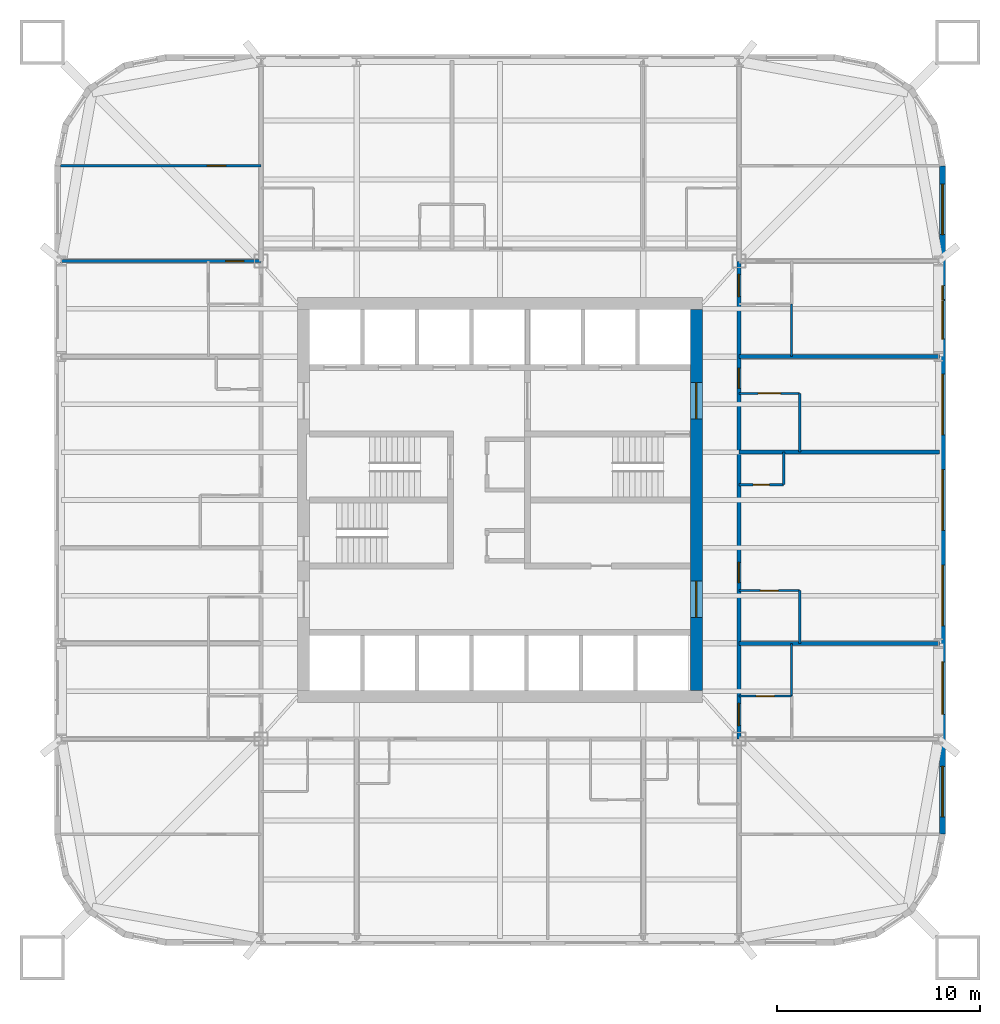
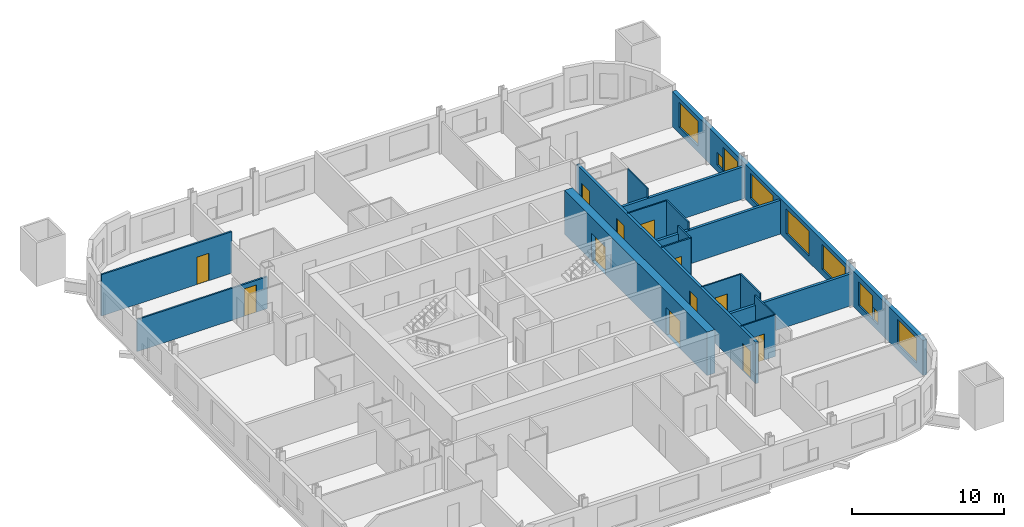
# One storey, part 6 of 10: 17 walls, 12 doors, 9 windows, 21 openings.
"""IFC4 building model written with IfcOpenShell, lengths in metres."""

from ifc_helpers import new_model, si_unit, direction, frame, frame_2d, origin, place, context, subcontext, project, spatial, rectangle, extrude, material, layer, layer_set, type_object, element, fill, save


model = new_model("IFC4")

# Units and contexts
model_context = context("Model", 3, precision=1e-05, world=origin(), true_north=direction((0.0, 1.0)))
body_context = subcontext(model_context, "Body", "Model", "MODEL_VIEW")
ifc_project = project(units=[si_unit("LENGTHUNIT", "METRE"), si_unit("AREAUNIT", "SQUARE_METRE"), si_unit("VOLUMEUNIT", "CUBIC_METRE"), si_unit("PLANEANGLEUNIT", "RADIAN"), si_unit("MASSUNIT", "GRAM", prefix="KILO")], contexts=[model_context])

# Site, building, storey
site_placement = place(None, origin())
site = spatial("IfcSite", under=ifc_project, at=site_placement, CompositionType="ELEMENT")
building_placement = place(site_placement, origin())
building = spatial("IfcBuilding", under=site, at=building_placement, Name="Turquesa Mirador Hotel Tower", CompositionType="ELEMENT")
storey_placement = place(building_placement, frame((0.0, 0.0, 39.0)))
storey = spatial("IfcBuildingStorey", under=building, at=storey_placement, Name="L09", CompositionType="ELEMENT", Elevation=39.0)

# Wall, opening, door
ifc_material_1 = material(Name="Gypsum board on steel studs", Category="steel")
ifc_layer_1 = layer(ifc_material_1, 0.10009765625)
ifc_layer_set_1 = layer_set([ifc_layer_1], Name="BATHROOM WALL 100")
wall_type_1 = type_object("IfcWallType", Name="BATHROOM WALL 100", PredefinedType="PARTITIONING", material=ifc_layer_set_1)
wall_1_placement = place(storey_placement, frame((66.800048828125, 40.52001953125, 0.0), z_axis=(0.0, 0.0, 1.0), x_axis=(1.0, 0.0, 0.0)))
wall_1 = element("IfcWall", 1, at=wall_1_placement, inside=storey, type_object=wall_type_1, Name="Partition L09 012", PredefinedType="PARTITIONING", context=body_context, shape_type="SweptSolid", body=[
    extrude(rectangle(XDim=3.0, YDim=0.10009765625, at=frame_2d((1.5, 0.0))), origin(), (0.0, 0.0, 1.0), 3.330078125),
])
opening_1_placement = place(wall_1_placement, frame((1.050048828125, 0.0, 0.0)))
opening_1 = element("IfcOpeningElement", 2, at=opening_1_placement, cuts=wall_1, Name="Opening D02", PredefinedType="OPENING", context=body_context, shape_type="SweptSolid", body=[
    extrude(rectangle(XDim=0.89990234375, YDim=2.10009765625, at=frame_2d((0.449951171875, 1.050048828125))), frame((0.0, 0.06005859375, 0.0), z_axis=(0.0, -1.0, 0.0), x_axis=(1.0, 0.0, 0.0)), (0.0, 0.0, 1.0), 0.1201171875),
])
ifc_material_2 = material(Name="Timber veneered door", Category="wood")
door_type_1 = type_object("IfcDoorType", Name="DOOR 900X2100 EN-SUITE", OperationType="SINGLE_SWING_RIGHT", PredefinedType="DOOR", material=ifc_material_2)
door_1_placement = place(opening_1_placement, origin())
door_1 = element("IfcDoor", 3, at=door_1_placement, inside=storey, type_object=door_type_1, Name="Door 0906B", OperationType="SINGLE_SWING_RIGHT", OverallHeight=2.10009765625, OverallWidth=0.89990234375, PredefinedType="DOOR", context=body_context, shape_type="SweptSolid", body=[
    extrude(rectangle(XDim=0.89990234375, YDim=2.10009765625, at=frame_2d((0.449951171875, 1.050048828125))), frame((0.0, 0.02490234375, 0.0), z_axis=(0.0, -1.0, 0.0), x_axis=(1.0, 0.0, 0.0)), (0.0, 0.0, 1.0), 0.050048828125),
])
fill(opening_1, door_1)

wall_2_placement = place(storey_placement, frame((66.800048828125, 35.320068359375, 0.0), z_axis=(0.0, 0.0, 1.0), x_axis=(1.0, 0.0, 0.0)))
wall_2 = element("IfcWall", 4, at=wall_2_placement, inside=storey, type_object=wall_type_1, Name="Partition L09 017", PredefinedType="PARTITIONING", context=body_context, shape_type="SweptSolid", body=[
    extrude(rectangle(XDim=2.599853515625, YDim=0.10009765625, at=frame_2d((1.2998046875, 0.0))), origin(), (0.0, 0.0, 1.0), 3.330078125),
])
opening_2_placement = place(wall_2_placement, frame((0.85009765625, 0.0, 0.0)))
opening_2 = element("IfcOpeningElement", 5, at=opening_2_placement, cuts=wall_2, Name="Opening D02", PredefinedType="OPENING", context=body_context, shape_type="SweptSolid", body=[
    extrude(rectangle(XDim=0.89990234375, YDim=2.10009765625, at=frame_2d((0.449951171875, 1.050048828125))), frame((0.0, 0.06005859375, 0.0), z_axis=(0.0, -1.0, 0.0), x_axis=(1.0, 0.0, 0.0)), (0.0, 0.0, 1.0), 0.1201171875),
])
door_2_placement = place(opening_2_placement, origin())
door_2 = element("IfcDoor", 6, at=door_2_placement, inside=storey, type_object=door_type_1, Name="Door 0913B", OperationType="SINGLE_SWING_RIGHT", OverallHeight=2.10009765625, OverallWidth=0.89990234375, PredefinedType="DOOR", context=body_context, shape_type="SweptSolid", body=[
    extrude(rectangle(XDim=0.89990234375, YDim=2.10009765625, at=frame_2d((0.449951171875, 1.050048828125))), frame((0.0, 0.02490234375, 0.0), z_axis=(0.0, -1.0, 0.0), x_axis=(1.0, 0.0, 0.0)), (0.0, 0.0, 1.0), 0.050048828125),
])
fill(opening_2, door_2)

wall_3_placement = place(storey_placement, frame((66.800048828125, 50.260009765625, 0.0), z_axis=(0.0, 0.0, 1.0), x_axis=(1.0, 0.0, 0.0)))
wall_3 = element("IfcWall", 7, at=wall_3_placement, inside=storey, type_object=wall_type_1, Name="Partition L09 030", PredefinedType="PARTITIONING", context=body_context, shape_type="SweptSolid", body=[
    extrude(rectangle(XDim=3.0, YDim=0.10009765625, at=frame_2d((1.5, 0.0))), origin(), (0.0, 0.0, 1.0), 3.330078125),
])
opening_3_placement = place(wall_3_placement, frame((0.949951171875, 0.0, 0.0)))
opening_3 = element("IfcOpeningElement", 8, at=opening_3_placement, cuts=wall_3, Name="Opening D16", PredefinedType="OPENING", context=body_context, shape_type="SweptSolid", body=[
    extrude(rectangle(XDim=1.10009765625, YDim=2.10009765625, at=frame_2d((0.550048828125, 1.050048828125))), frame((0.0, 0.06005859375, 0.0), z_axis=(0.0, -1.0, 0.0), x_axis=(1.0, 0.0, 0.0)), (0.0, 0.0, 1.0), 0.1201171875),
])
ifc_material_3 = material(Name="Timber veneered sliding door", Category="wood")
door_type_2 = type_object("IfcDoorType", Name="DOOR 1100X2100 ACCESSIBLE EN-SUITE", OperationType="SLIDING_TO_LEFT", PredefinedType="DOOR", material=ifc_material_3)
door_3_placement = place(opening_3_placement, origin())
door_3 = element("IfcDoor", 9, at=door_3_placement, inside=storey, type_object=door_type_2, Name="Door 0907B", OperationType="SLIDING_TO_LEFT", OverallHeight=2.10009765625, OverallWidth=1.10009765625, PredefinedType="DOOR", context=body_context, shape_type="SweptSolid", body=[
    extrude(rectangle(XDim=1.10009765625, YDim=2.10009765625, at=frame_2d((0.550048828125, 1.050048828125))), frame((0.0, 0.02490234375, 0.0), z_axis=(0.0, -1.0, 0.0), x_axis=(1.0, 0.0, 0.0)), (0.0, 0.0, 1.0), 0.050048828125),
])
fill(opening_3, door_3)

# Walls
for number, where, z_axis, x_axis, name in (
    (10, (69.39990234375, 35.320068359375, 0.0), (0.0, 0.0, 1.0), (0.0, 1.0, 0.0), "Partition L09 056"),
    (11, (69.39990234375, 52.080078125, 0.0), (0.0, 0.0, 1.0), (0.0, 1.0, 0.0), "Partition L09 057"),
):
    element("IfcWall", number, at=place(storey_placement, frame(where, z_axis=z_axis, x_axis=x_axis)), inside=storey, type_object=wall_type_1, Name=name, PredefinedType="PARTITIONING", context=body_context, shape_type="SweptSolid", body=[
        extrude(rectangle(XDim=2.599853515625, YDim=0.10009765625, at=frame_2d((1.2998046875, 0.0))), origin(), (0.0, 0.0, 1.0), 3.330078125),
    ])
wall_4_placement = place(storey_placement, frame((69.800048828125, 37.919921875, 0.0), z_axis=(0.0, 0.0, 1.0), x_axis=(0.0, 1.0, 0.0)))
element("IfcWall", 12, at=wall_4_placement, inside=storey, type_object=wall_type_1, Name="Partition L09 060", PredefinedType="PARTITIONING", context=body_context, shape_type="SweptSolid", body=[
    extrude(rectangle(XDim=2.60009765625, YDim=0.10009765625, at=frame_2d((1.300048828125, 0.0))), origin(), (0.0, 0.0, 1.0), 3.330078125),
])
wall_5_placement = place(storey_placement, frame((69.800048828125, 47.360107421875, 0.0), z_axis=(0.0, 0.0, 1.0), x_axis=(0.0, 1.0, 0.0)))
element("IfcWall", 13, at=wall_5_placement, inside=storey, type_object=wall_type_1, Name="Partition L09 061", PredefinedType="PARTITIONING", context=body_context, shape_type="SweptSolid", body=[
    extrude(rectangle(XDim=2.89990234375, YDim=0.10009765625, at=frame_2d((1.449951171875, 0.0))), origin(), (0.0, 0.0, 1.0), 3.330078125),
])

# Wall, openings, doors
ifc_material_4 = material(Name="Concrete C50/60", Category="concrete")
ifc_layer_2 = layer(ifc_material_4, 0.60009765625)
ifc_layer_set_2 = layer_set([ifc_layer_2], Name="CORE WALL 600")
wall_type_2 = type_object("IfcWallType", Name="CORE WALL 600", PredefinedType="SHEAR", material=ifc_layer_set_2)
wall_6_placement = place(storey_placement, frame((64.699951171875, 35.60009765625, 0.0), z_axis=(0.0, 0.0, 1.0), x_axis=(0.0, 1.0, 0.0)))
wall_6 = element("IfcWall", 14, at=wall_6_placement, inside=storey, type_object=wall_type_2, Name="Core wall E", PredefinedType="SHEAR", context=body_context, shape_type="SweptSolid", body=[
    extrude(rectangle(XDim=18.7998046875, YDim=0.60009765625, at=frame_2d((9.39990234375, 0.0))), origin(), (0.0, 0.0, 1.0), 3.5),
])
opening_4_placement = place(wall_6_placement, frame((13.39990234375, 0.0, 0.0)))
opening_4 = element("IfcOpeningElement", 15, at=opening_4_placement, cuts=wall_6, Name="Opening D04", PredefinedType="OPENING", context=body_context, shape_type="SweptSolid", body=[
    extrude(rectangle(XDim=1.800048828125, YDim=2.199951171875, at=frame_2d((0.89990234375, 1.10009765625))), frame((0.0, 0.31005859375, 0.0), z_axis=(0.0, -1.0, 0.0), x_axis=(1.0, 0.0, 0.0)), (0.0, 0.0, 1.0), 0.6201171875),
])
opening_5_placement = place(wall_6_placement, frame((3.60009765625, 0.0, 0.0)))
opening_5 = element("IfcOpeningElement", 16, at=opening_5_placement, cuts=wall_6, Name="Opening D04", PredefinedType="OPENING", context=body_context, shape_type="SweptSolid", body=[
    extrude(rectangle(XDim=1.800048828125, YDim=2.199951171875, at=frame_2d((0.89990234375, 1.10009765625))), frame((0.0, 0.31005859375, 0.0), z_axis=(0.0, -1.0, 0.0), x_axis=(1.0, 0.0, 0.0)), (0.0, 0.0, 1.0), 0.6201171875),
])
ifc_material_5 = material(Name="Steel fire door pair", Category="steel")
door_type_3 = type_object("IfcDoorType", Name="DOOR 1800X2200 PAIR", OperationType="DOUBLE_DOOR_SINGLE_SWING", PredefinedType="DOOR", material=ifc_material_5)
door_4_placement = place(opening_4_placement, origin())
door_4 = element("IfcDoor", 17, at=door_4_placement, inside=storey, type_object=door_type_3, Name="Firefighting lobby door", OperationType="DOUBLE_DOOR_SINGLE_SWING", OverallHeight=2.199951171875, OverallWidth=1.800048828125, PredefinedType="DOOR", context=body_context, shape_type="SweptSolid", body=[
    extrude(rectangle(XDim=1.800048828125, YDim=2.199951171875, at=frame_2d((0.89990234375, 1.10009765625))), frame((0.0, 0.02490234375, 0.0), z_axis=(0.0, -1.0, 0.0), x_axis=(1.0, 0.0, 0.0)), (0.0, 0.0, 1.0), 0.050048828125),
])
fill(opening_4, door_4)
door_5_placement = place(opening_5_placement, origin())
door_5 = element("IfcDoor", 18, at=door_5_placement, inside=storey, type_object=door_type_3, Name="South lift lobby door", OperationType="DOUBLE_DOOR_SINGLE_SWING", OverallHeight=2.199951171875, OverallWidth=1.800048828125, PredefinedType="DOOR", context=body_context, shape_type="SweptSolid", body=[
    extrude(rectangle(XDim=1.800048828125, YDim=2.199951171875, at=frame_2d((0.89990234375, 1.10009765625))), frame((0.0, 0.02490234375, 0.0), z_axis=(0.0, -1.0, 0.0), x_axis=(1.0, 0.0, 0.0)), (0.0, 0.0, 1.0), 0.050048828125),
])
fill(opening_5, door_5)

ifc_material_6 = material(Name="Fire-rated gypsum board on steel studs", Category="steel")
ifc_layer_3 = layer(ifc_material_6, 0.199951171875)
ifc_layer_set_3 = layer_set([ifc_layer_3], Name="CORRIDOR WALL 200")
wall_type_3 = type_object("IfcWallType", Name="CORRIDOR WALL 200", PredefinedType="PARTITIONING", material=ifc_layer_set_3)
wall_7_placement = place(storey_placement, frame((66.800048828125, 33.199951171875, 0.0), z_axis=(0.0, 0.0, 1.0), x_axis=(0.0, 1.0, 0.0)))
wall_7 = element("IfcWall", 19, at=wall_7_placement, inside=storey, type_object=wall_type_3, Name="Partition L09 052", PredefinedType="PARTITIONING", context=body_context, shape_type="SweptSolid", body=[
    extrude(rectangle(XDim=23.580078125, YDim=0.199951171875, at=frame_2d((11.7900390625, 0.0))), origin(), (0.0, 0.0, 1.0), 3.330078125),
])
opening_6_placement = place(wall_7_placement, frame((7.719970703125, 0.0, 0.0)))
opening_6 = element("IfcOpeningElement", 20, at=opening_6_placement, cuts=wall_7, Name="Opening D01", PredefinedType="OPENING", context=body_context, shape_type="SweptSolid", body=[
    extrude(rectangle(XDim=1.0, YDim=2.199951171875, at=frame_2d((0.5, 1.10009765625))), frame((0.0, 0.10986328125, 0.0), z_axis=(0.0, -1.0, 0.0), x_axis=(1.0, 0.0, 0.0)), (0.0, 0.0, 1.0), 0.219970703125),
])
opening_7_placement = place(wall_7_placement, frame((17.31005859375, 0.0, 0.0)))
opening_7 = element("IfcOpeningElement", 21, at=opening_7_placement, cuts=wall_7, Name="Opening D01", PredefinedType="OPENING", context=body_context, shape_type="SweptSolid", body=[
    extrude(rectangle(XDim=1.0, YDim=2.199951171875, at=frame_2d((0.5, 1.10009765625))), frame((0.0, 0.10986328125, 0.0), z_axis=(0.0, -1.0, 0.0), x_axis=(1.0, 0.0, 0.0)), (0.0, 0.0, 1.0), 0.219970703125),
])
opening_8_placement = place(wall_7_placement, frame((21.840087890625, 0.0, 0.0)))
opening_8 = element("IfcOpeningElement", 22, at=opening_8_placement, cuts=wall_7, Name="Opening D15", PredefinedType="OPENING", context=body_context, shape_type="SweptSolid", body=[
    extrude(rectangle(XDim=1.10009765625, YDim=2.199951171875, at=frame_2d((0.550048828125, 1.10009765625))), frame((0.0, 0.10986328125, 0.0), z_axis=(0.0, -1.0, 0.0), x_axis=(1.0, 0.0, 0.0)), (0.0, 0.0, 1.0), 0.219970703125),
])
opening_9_placement = place(wall_7_placement, frame((0.659912109375, 0.0, 0.0)))
opening_9 = element("IfcOpeningElement", 23, at=opening_9_placement, cuts=wall_7, Name="Opening D15", PredefinedType="OPENING", context=body_context, shape_type="SweptSolid", body=[
    extrude(rectangle(XDim=1.10009765625, YDim=2.199951171875, at=frame_2d((0.550048828125, 1.10009765625))), frame((0.0, 0.10986328125, 0.0), z_axis=(0.0, -1.0, 0.0), x_axis=(1.0, 0.0, 0.0)), (0.0, 0.0, 1.0), 0.219970703125),
])
ifc_material_7 = material(Name="Timber veneered fire door", Category="wood")
door_type_4 = type_object("IfcDoorType", Name="DOOR 1000X2200 GUEST ENTRY", OperationType="SINGLE_SWING_LEFT", PredefinedType="DOOR", material=ifc_material_7)
door_6_placement = place(opening_6_placement, origin())
door_6 = element("IfcDoor", 24, at=door_6_placement, inside=storey, type_object=door_type_4, Name="Door 0906", OperationType="SINGLE_SWING_LEFT", OverallHeight=2.199951171875, OverallWidth=1.0, PredefinedType="DOOR", context=body_context, shape_type="SweptSolid", body=[
    extrude(rectangle(XDim=1.0, YDim=2.199951171875, at=frame_2d((0.5, 1.10009765625))), frame((0.0, 0.02490234375, 0.0), z_axis=(0.0, -1.0, 0.0), x_axis=(1.0, 0.0, 0.0)), (0.0, 0.0, 1.0), 0.050048828125),
])
fill(opening_6, door_6)
door_7_placement = place(opening_7_placement, origin())
door_7 = element("IfcDoor", 25, at=door_7_placement, inside=storey, type_object=door_type_4, Name="Door 0907", OperationType="SINGLE_SWING_LEFT", OverallHeight=2.199951171875, OverallWidth=1.0, PredefinedType="DOOR", context=body_context, shape_type="SweptSolid", body=[
    extrude(rectangle(XDim=1.0, YDim=2.199951171875, at=frame_2d((0.5, 1.10009765625))), frame((0.0, 0.02490234375, 0.0), z_axis=(0.0, -1.0, 0.0), x_axis=(1.0, 0.0, 0.0)), (0.0, 0.0, 1.0), 0.050048828125),
])
fill(opening_7, door_7)
ifc_material_8 = material(Name="Timber veneered fire door", Category="wood")
door_type_5 = type_object("IfcDoorType", Name="DOOR 1100X2200 SUITE ENTRY", OperationType="SINGLE_SWING_LEFT", PredefinedType="DOOR", material=ifc_material_8)
door_8_placement = place(opening_8_placement, origin())
door_8 = element("IfcDoor", 26, at=door_8_placement, inside=storey, type_object=door_type_5, Name="Door 0910H", OperationType="SINGLE_SWING_LEFT", OverallHeight=2.199951171875, OverallWidth=1.10009765625, PredefinedType="DOOR", context=body_context, shape_type="SweptSolid", body=[
    extrude(rectangle(XDim=1.10009765625, YDim=2.199951171875, at=frame_2d((0.550048828125, 1.10009765625))), frame((0.0, 0.02490234375, 0.0), z_axis=(0.0, -1.0, 0.0), x_axis=(1.0, 0.0, 0.0)), (0.0, 0.0, 1.0), 0.050048828125),
])
fill(opening_8, door_8)
door_9_placement = place(opening_9_placement, origin())
door_9 = element("IfcDoor", 27, at=door_9_placement, inside=storey, type_object=door_type_5, Name="Door 0913H", OperationType="SINGLE_SWING_LEFT", OverallHeight=2.199951171875, OverallWidth=1.10009765625, PredefinedType="DOOR", context=body_context, shape_type="SweptSolid", body=[
    extrude(rectangle(XDim=1.10009765625, YDim=2.199951171875, at=frame_2d((0.550048828125, 1.10009765625))), frame((0.0, 0.02490234375, 0.0), z_axis=(0.0, -1.0, 0.0), x_axis=(1.0, 0.0, 0.0)), (0.0, 0.0, 1.0), 0.050048828125),
])
fill(opening_9, door_9)

# Wall, openings, windows
ifc_material_9 = material(Name="Limestone cladding on concrete block", Category="masonry")
ifc_layer_4 = layer(ifc_material_9, 0.300048828125)
ifc_layer_set_4 = layer_set([ifc_layer_4], Name="FACADE WALL 300 STONE SCREEN")
wall_type_4 = type_object("IfcWallType", Name="FACADE WALL 300 STONE SCREEN", PredefinedType="SOLIDWALL", material=ifc_layer_set_4)
wall_8_placement = place(storey_placement, frame((76.85009765625, 28.5, 0.0), z_axis=(0.0, 0.0, 1.0), x_axis=(0.0, 1.0, 0.0)))
wall_8 = element("IfcWall", 28, at=wall_8_placement, inside=storey, type_object=wall_type_4, Name="Facade wall L09 04", PredefinedType="SOLIDWALL", context=body_context, shape_type="SweptSolid", body=[
    extrude(rectangle(XDim=33.0, YDim=0.300048828125, at=frame_2d((16.5, 0.0))), origin(), (0.0, 0.0, 1.0), 2.830078125),
])
opening_10_placement = place(wall_8_placement, frame((0.85009765625, 0.0, 0.5)))
opening_10 = element("IfcOpeningElement", 29, at=opening_10_placement, cuts=wall_8, Name="Opening WN52", PredefinedType="OPENING", context=body_context, shape_type="SweptSolid", body=[
    extrude(rectangle(XDim=2.5, YDim=2.0, at=frame_2d((1.25, 1.0))), frame((0.0, 0.159912109375, 0.0), z_axis=(0.0, -1.0, 0.0), x_axis=(1.0, 0.0, 0.0)), (0.0, 0.0, 1.0), 0.320068359375),
])
opening_11_placement = place(wall_8_placement, frame((6.610107421875, 0.0, 0.5)))
opening_11 = element("IfcOpeningElement", 30, at=opening_11_placement, cuts=wall_8, Name="Opening WN48", PredefinedType="OPENING", context=body_context, shape_type="SweptSolid", body=[
    extrude(rectangle(XDim=1.89990234375, YDim=1.89990234375, at=frame_2d((0.949951171875, 0.949951171875))), frame((0.0, 0.159912109375, 0.0), z_axis=(0.0, -1.0, 0.0), x_axis=(1.0, 0.0, 0.0)), (0.0, 0.0, 1.0), 0.320068359375),
])
opening_12_placement = place(wall_8_placement, frame((10.280029296875, 0.0, 0.5)))
opening_12 = element("IfcOpeningElement", 31, at=opening_12_placement, cuts=wall_8, Name="Opening WN1", PredefinedType="OPENING", context=body_context, shape_type="SweptSolid", body=[
    extrude(rectangle(XDim=3.0, YDim=2.0, at=frame_2d((1.5, 1.0))), frame((0.0, 0.159912109375, 0.0), z_axis=(0.0, -1.0, 0.0), x_axis=(1.0, 0.0, 0.0)), (0.0, 0.0, 1.0), 0.320068359375),
])
opening_13_placement = place(wall_8_placement, frame((15.0, 0.0, 0.5)))
opening_13 = element("IfcOpeningElement", 32, at=opening_13_placement, cuts=wall_8, Name="Opening WN1", PredefinedType="OPENING", context=body_context, shape_type="SweptSolid", body=[
    extrude(rectangle(XDim=3.0, YDim=2.0, at=frame_2d((1.5, 1.0))), frame((0.0, 0.159912109375, 0.0), z_axis=(0.0, -1.0, 0.0), x_axis=(1.0, 0.0, 0.0)), (0.0, 0.0, 1.0), 0.320068359375),
])
opening_14_placement = place(wall_8_placement, frame((19.719970703125, 0.0, 0.5)))
opening_14 = element("IfcOpeningElement", 33, at=opening_14_placement, cuts=wall_8, Name="Opening WN1", PredefinedType="OPENING", context=body_context, shape_type="SweptSolid", body=[
    extrude(rectangle(XDim=3.0, YDim=2.0, at=frame_2d((1.5, 1.0))), frame((0.0, 0.159912109375, 0.0), z_axis=(0.0, -1.0, 0.0), x_axis=(1.0, 0.0, 0.0)), (0.0, 0.0, 1.0), 0.320068359375),
])
opening_15_placement = place(wall_8_placement, frame((24.43994140625, 0.0, 0.5)))
opening_15 = element("IfcOpeningElement", 34, at=opening_15_placement, cuts=wall_8, Name="Opening WN48", PredefinedType="OPENING", context=body_context, shape_type="SweptSolid", body=[
    extrude(rectangle(XDim=1.89990234375, YDim=1.89990234375, at=frame_2d((0.949951171875, 0.949951171875))), frame((0.0, 0.159912109375, 0.0), z_axis=(0.0, -1.0, 0.0), x_axis=(1.0, 0.0, 0.0)), (0.0, 0.0, 1.0), 0.320068359375),
])
opening_16_placement = place(wall_8_placement, frame((29.60009765625, 0.0, 0.5)))
opening_16 = element("IfcOpeningElement", 35, at=opening_16_placement, cuts=wall_8, Name="Opening WN52", PredefinedType="OPENING", context=body_context, shape_type="SweptSolid", body=[
    extrude(rectangle(XDim=2.5, YDim=2.0, at=frame_2d((1.25, 1.0))), frame((0.0, 0.159912109375, 0.0), z_axis=(0.0, -1.0, 0.0), x_axis=(1.0, 0.0, 0.0)), (0.0, 0.0, 1.0), 0.320068359375),
])
opening_17_placement = place(wall_8_placement, frame((5.909912109375, 0.0, 0.5)))
opening_17 = element("IfcOpeningElement", 36, at=opening_17_placement, cuts=wall_8, Name="Opening WN32", PredefinedType="OPENING", context=body_context, shape_type="SweptSolid", body=[
    extrude(rectangle(XDim=0.699951171875, YDim=1.0, at=frame_2d((0.35009765625, 0.5))), frame((0.0, 0.159912109375, 0.0), z_axis=(0.0, -1.0, 0.0), x_axis=(1.0, 0.0, 0.0)), (0.0, 0.0, 1.0), 0.320068359375),
])
opening_18_placement = place(wall_8_placement, frame((26.389892578125, 0.0, 0.5)))
opening_18 = element("IfcOpeningElement", 37, at=opening_18_placement, cuts=wall_8, Name="Opening WN32", PredefinedType="OPENING", context=body_context, shape_type="SweptSolid", body=[
    extrude(rectangle(XDim=0.699951171875, YDim=1.0, at=frame_2d((0.35009765625, 0.5))), frame((0.0, 0.159912109375, 0.0), z_axis=(0.0, -1.0, 0.0), x_axis=(1.0, 0.0, 0.0)), (0.0, 0.0, 1.0), 0.320068359375),
])
ifc_material_10 = material(Name="Ceramic-fritted laminated glass", Category="glass")
window_type_1 = type_object("IfcWindowType", Name="FRITTED WINDOW 1900X1900", PartitioningType="DOUBLE_PANEL_HORIZONTAL", PredefinedType="WINDOW", material=ifc_material_10)
window_1_placement = place(opening_11_placement, origin())
window_1 = element("IfcWindow", 38, at=window_1_placement, inside=storey, type_object=window_type_1, Name="Window L09", OverallHeight=1.89990234375, OverallWidth=1.89990234375, PartitioningType="SINGLE_PANEL", PredefinedType="WINDOW", context=body_context, shape_type="SweptSolid", body=[
    extrude(rectangle(XDim=1.89990234375, YDim=1.89990234375, at=frame_2d((0.949951171875, 0.949951171875))), frame((0.0, 0.030029296875, 0.0), z_axis=(0.0, -1.0, 0.0), x_axis=(1.0, 0.0, 0.0)), (0.0, 0.0, 1.0), 0.06005859375),
])
fill(opening_11, window_1)
window_2_placement = place(opening_15_placement, origin())
window_2 = element("IfcWindow", 39, at=window_2_placement, inside=storey, type_object=window_type_1, Name="Window L09", OverallHeight=1.89990234375, OverallWidth=1.89990234375, PartitioningType="SINGLE_PANEL", PredefinedType="WINDOW", context=body_context, shape_type="SweptSolid", body=[
    extrude(rectangle(XDim=1.89990234375, YDim=1.89990234375, at=frame_2d((0.949951171875, 0.949951171875))), frame((0.0, 0.030029296875, 0.0), z_axis=(0.0, -1.0, 0.0), x_axis=(1.0, 0.0, 0.0)), (0.0, 0.0, 1.0), 0.06005859375),
])
fill(opening_15, window_2)
ifc_material_11 = material(Name="Ceramic-fritted laminated glass", Category="glass")
window_type_2 = type_object("IfcWindowType", Name="FRITTED WINDOW 2500X2000", PartitioningType="DOUBLE_PANEL_HORIZONTAL", PredefinedType="WINDOW", material=ifc_material_11)
window_3_placement = place(opening_10_placement, origin())
window_3 = element("IfcWindow", 40, at=window_3_placement, inside=storey, type_object=window_type_2, Name="Window L09", OverallHeight=2.0, OverallWidth=2.5, PartitioningType="SINGLE_PANEL", PredefinedType="WINDOW", context=body_context, shape_type="SweptSolid", body=[
    extrude(rectangle(XDim=2.5, YDim=2.0, at=frame_2d((1.25, 1.0))), frame((0.0, 0.030029296875, 0.0), z_axis=(0.0, -1.0, 0.0), x_axis=(1.0, 0.0, 0.0)), (0.0, 0.0, 1.0), 0.06005859375),
])
fill(opening_10, window_3)
window_4_placement = place(opening_16_placement, origin())
window_4 = element("IfcWindow", 41, at=window_4_placement, inside=storey, type_object=window_type_2, Name="Window L09", OverallHeight=2.0, OverallWidth=2.5, PartitioningType="SINGLE_PANEL", PredefinedType="WINDOW", context=body_context, shape_type="SweptSolid", body=[
    extrude(rectangle(XDim=2.5, YDim=2.0, at=frame_2d((1.25, 1.0))), frame((0.0, 0.030029296875, 0.0), z_axis=(0.0, -1.0, 0.0), x_axis=(1.0, 0.0, 0.0)), (0.0, 0.0, 1.0), 0.06005859375),
])
fill(opening_16, window_4)
ifc_material_12 = material(Name="Ceramic-fritted laminated glass", Category="glass")
window_type_3 = type_object("IfcWindowType", Name="FRITTED WINDOW 3000X2000", PartitioningType="DOUBLE_PANEL_HORIZONTAL", PredefinedType="WINDOW", material=ifc_material_12)
window_5_placement = place(opening_12_placement, origin())
window_5 = element("IfcWindow", 42, at=window_5_placement, inside=storey, type_object=window_type_3, Name="Window L09", OverallHeight=2.0, OverallWidth=3.0, PartitioningType="SINGLE_PANEL", PredefinedType="WINDOW", context=body_context, shape_type="SweptSolid", body=[
    extrude(rectangle(XDim=3.0, YDim=2.0, at=frame_2d((1.5, 1.0))), frame((0.0, 0.030029296875, 0.0), z_axis=(0.0, -1.0, 0.0), x_axis=(1.0, 0.0, 0.0)), (0.0, 0.0, 1.0), 0.06005859375),
])
fill(opening_12, window_5)
window_6_placement = place(opening_13_placement, origin())
window_6 = element("IfcWindow", 43, at=window_6_placement, inside=storey, type_object=window_type_3, Name="Window L09", OverallHeight=2.0, OverallWidth=3.0, PartitioningType="SINGLE_PANEL", PredefinedType="WINDOW", context=body_context, shape_type="SweptSolid", body=[
    extrude(rectangle(XDim=3.0, YDim=2.0, at=frame_2d((1.5, 1.0))), frame((0.0, 0.030029296875, 0.0), z_axis=(0.0, -1.0, 0.0), x_axis=(1.0, 0.0, 0.0)), (0.0, 0.0, 1.0), 0.06005859375),
])
fill(opening_13, window_6)
window_7_placement = place(opening_14_placement, origin())
window_7 = element("IfcWindow", 44, at=window_7_placement, inside=storey, type_object=window_type_3, Name="Window L09", OverallHeight=2.0, OverallWidth=3.0, PartitioningType="SINGLE_PANEL", PredefinedType="WINDOW", context=body_context, shape_type="SweptSolid", body=[
    extrude(rectangle(XDim=3.0, YDim=2.0, at=frame_2d((1.5, 1.0))), frame((0.0, 0.030029296875, 0.0), z_axis=(0.0, -1.0, 0.0), x_axis=(1.0, 0.0, 0.0)), (0.0, 0.0, 1.0), 0.06005859375),
])
fill(opening_14, window_7)
ifc_material_13 = material(Name="Ceramic-fritted laminated glass", Category="glass")
window_type_4 = type_object("IfcWindowType", Name="FRITTED WINDOW 700X1000", PartitioningType="DOUBLE_PANEL_HORIZONTAL", PredefinedType="WINDOW", material=ifc_material_13)
window_8_placement = place(opening_17_placement, origin())
window_8 = element("IfcWindow", 45, at=window_8_placement, inside=storey, type_object=window_type_4, Name="Window L09", OverallHeight=1.0, OverallWidth=0.699951171875, PartitioningType="SINGLE_PANEL", PredefinedType="WINDOW", context=body_context, shape_type="SweptSolid", body=[
    extrude(rectangle(XDim=0.699951171875, YDim=1.0, at=frame_2d((0.35009765625, 0.5))), frame((0.0, 0.030029296875, 0.0), z_axis=(0.0, -1.0, 0.0), x_axis=(1.0, 0.0, 0.0)), (0.0, 0.0, 1.0), 0.06005859375),
])
fill(opening_17, window_8)
window_9_placement = place(opening_18_placement, origin())
window_9 = element("IfcWindow", 46, at=window_9_placement, inside=storey, type_object=window_type_4, Name="Window L09", OverallHeight=1.0, OverallWidth=0.699951171875, PartitioningType="SINGLE_PANEL", PredefinedType="WINDOW", context=body_context, shape_type="SweptSolid", body=[
    extrude(rectangle(XDim=0.699951171875, YDim=1.0, at=frame_2d((0.35009765625, 0.5))), frame((0.0, 0.030029296875, 0.0), z_axis=(0.0, -1.0, 0.0), x_axis=(1.0, 0.0, 0.0)), (0.0, 0.0, 1.0), 0.06005859375),
])
fill(opening_18, window_9)

# Walls
ifc_material_14 = material(Name="Fire-rated gypsum board on steel studs", Category="steel")
ifc_layer_5 = layer(ifc_material_14, 0.199951171875)
ifc_layer_set_5 = layer_set([ifc_layer_5], Name="PARTY WALL 200")
wall_type_5 = type_object("IfcWallType", Name="PARTY WALL 200", PredefinedType="PARTITIONING", material=ifc_layer_set_5)
wall_9_placement = place(storey_placement, frame((66.800048828125, 37.919921875, 0.0), z_axis=(0.0, 0.0, 1.0), x_axis=(1.0, 0.0, 0.0)))
element("IfcWall", 47, at=wall_9_placement, inside=storey, type_object=wall_type_5, Name="Partition L09 015", PredefinedType="PARTITIONING", context=body_context, shape_type="SweptSolid", body=[
    extrude(rectangle(XDim=9.89990234375, YDim=0.199951171875, at=frame_2d((4.949951171875, 0.0))), origin(), (0.0, 0.0, 1.0), 2.572998046875),
])
wall_10_placement = place(storey_placement, frame((66.800048828125, 47.360107421875, 0.0), z_axis=(0.0, 0.0, 1.0), x_axis=(1.0, 0.0, 0.0)))
element("IfcWall", 48, at=wall_10_placement, inside=storey, type_object=wall_type_5, Name="Partition L09 029", PredefinedType="PARTITIONING", context=body_context, shape_type="SweptSolid", body=[
    extrude(rectangle(XDim=9.89990234375, YDim=0.199951171875, at=frame_2d((4.949951171875, 0.0))), origin(), (0.0, 0.0, 1.0), 2.722900390625),
])
wall_11_placement = place(storey_placement, frame((66.800048828125, 52.080078125, 0.0), z_axis=(0.0, 0.0, 1.0), x_axis=(1.0, 0.0, 0.0)))
element("IfcWall", 49, at=wall_11_placement, inside=storey, type_object=wall_type_5, Name="Partition L09 033", PredefinedType="PARTITIONING", context=body_context, shape_type="SweptSolid", body=[
    extrude(rectangle(XDim=9.89990234375, YDim=0.199951171875, at=frame_2d((4.949951171875, 0.0))), origin(), (0.0, 0.0, 1.0), 2.572998046875),
])

# Wall, opening, door
ifc_material_15 = material(Name="Acoustic gypsum board on steel studs", Category="steel")
ifc_layer_6 = layer(ifc_material_15, 0.125)
ifc_layer_set_6 = layer_set([ifc_layer_6], Name="SUITE PARTITION 125")
wall_type_6 = type_object("IfcWallType", Name="SUITE PARTITION 125", PredefinedType="PARTITIONING", material=ifc_layer_set_6)
wall_12_placement = place(storey_placement, frame((66.800048828125, 45.760009765625, 0.0), z_axis=(0.0, 0.0, 1.0), x_axis=(1.0, 0.0, 0.0)))
wall_12 = element("IfcWall", 50, at=wall_12_placement, inside=storey, type_object=wall_type_6, Name="Partition L09 019", PredefinedType="PARTITIONING", context=body_context, shape_type="SweptSolid", body=[
    extrude(rectangle(XDim=2.199951171875, YDim=0.125, at=frame_2d((1.10009765625, 0.0))), origin(), (0.0, 0.0, 1.0), 3.330078125),
])
opening_19_placement = place(wall_12_placement, frame((0.699951171875, 0.0, 0.0)))
opening_19 = element("IfcOpeningElement", 51, at=opening_19_placement, cuts=wall_12, Name="Opening D20", PredefinedType="OPENING", context=body_context, shape_type="SweptSolid", body=[
    extrude(rectangle(XDim=0.800048828125, YDim=2.10009765625, at=frame_2d((0.39990234375, 1.050048828125))), frame((0.0, 0.072509765625, 0.0), z_axis=(0.0, -1.0, 0.0), x_axis=(1.0, 0.0, 0.0)), (0.0, 0.0, 1.0), 0.14501953125),
])
ifc_material_16 = material(Name="Timber veneered sliding door", Category="wood")
door_type_6 = type_object("IfcDoorType", Name="DOOR 800X2100 WARDROBE", OperationType="SLIDING_TO_LEFT", PredefinedType="DOOR", material=ifc_material_16)
door_10_placement = place(opening_19_placement, origin())
door_10 = element("IfcDoor", 52, at=door_10_placement, inside=storey, type_object=door_type_6, Name="Door 0906W", OperationType="SLIDING_TO_LEFT", OverallHeight=2.10009765625, OverallWidth=0.800048828125, PredefinedType="DOOR", context=body_context, shape_type="SweptSolid", body=[
    extrude(rectangle(XDim=0.800048828125, YDim=2.10009765625, at=frame_2d((0.39990234375, 1.050048828125))), frame((0.0, 0.02490234375, 0.0), z_axis=(0.0, -1.0, 0.0), x_axis=(1.0, 0.0, 0.0)), (0.0, 0.0, 1.0), 0.050048828125),
])
fill(opening_19, door_10)

wall_13_placement = place(storey_placement, frame((33.300048828125, 56.800048828125, 0.0), z_axis=(0.0, 0.0, 1.0), x_axis=(1.0, 0.0, 0.0)))
wall_13 = element("IfcWall", 53, at=wall_13_placement, inside=storey, type_object=wall_type_6, Name="Partition L09 020", PredefinedType="PARTITIONING", context=body_context, shape_type="SweptSolid", body=[
    extrude(rectangle(XDim=9.89990234375, YDim=0.125, at=frame_2d((4.949951171875, 0.0))), origin(), (0.0, 0.0, 1.0), 2.572998046875),
])
opening_20_placement = place(wall_13_placement, frame((8.14990234375, 0.0, 0.0)))
opening_20 = element("IfcOpeningElement", 54, at=opening_20_placement, cuts=wall_13, Name="Opening D17", PredefinedType="OPENING", context=body_context, shape_type="SweptSolid", body=[
    extrude(rectangle(XDim=0.89990234375, YDim=2.199951171875, at=frame_2d((0.449951171875, 1.10009765625))), frame((0.0, 0.072509765625, 0.0), z_axis=(0.0, -1.0, 0.0), x_axis=(1.0, 0.0, 0.0)), (0.0, 0.0, 1.0), 0.14501953125),
])
ifc_material_17 = material(Name="Timber veneered door", Category="wood")
door_type_7 = type_object("IfcDoorType", Name="DOOR 900X2200 SUITE INTERNAL", OperationType="SINGLE_SWING_LEFT", PredefinedType="DOOR", material=ifc_material_17)
door_11_placement = place(opening_20_placement, origin())
door_11 = element("IfcDoor", 55, at=door_11_placement, inside=storey, type_object=door_type_7, Name="Door 0911", OperationType="SINGLE_SWING_LEFT", OverallHeight=2.199951171875, OverallWidth=0.89990234375, PredefinedType="DOOR", context=body_context, shape_type="SweptSolid", body=[
    extrude(rectangle(XDim=0.89990234375, YDim=2.199951171875, at=frame_2d((0.449951171875, 1.10009765625))), frame((0.0, 0.02490234375, 0.0), z_axis=(0.0, -1.0, 0.0), x_axis=(1.0, 0.0, 0.0)), (0.0, 0.0, 1.0), 0.050048828125),
])
fill(opening_20, door_11)

wall_14_placement = place(storey_placement, frame((33.305908203125, 61.5, 0.0), z_axis=(0.0, 0.0, 1.0), x_axis=(1.0, 0.0, 0.0)))
wall_14 = element("IfcWall", 56, at=wall_14_placement, inside=storey, type_object=wall_type_6, Name="Partition L09 027", PredefinedType="PARTITIONING", context=body_context, shape_type="SweptSolid", body=[
    extrude(rectangle(XDim=9.89404296875, YDim=0.125, at=frame_2d((4.947021484375, 0.0))), origin(), (0.0, 0.0, 1.0), 3.330078125),
])
opening_21_placement = place(wall_14_placement, frame((7.244140625, 0.0, 0.0)))
opening_21 = element("IfcOpeningElement", 57, at=opening_21_placement, cuts=wall_14, Name="Opening D17", PredefinedType="OPENING", context=body_context, shape_type="SweptSolid", body=[
    extrude(rectangle(XDim=0.89990234375, YDim=2.199951171875, at=frame_2d((0.449951171875, 1.10009765625))), frame((0.0, 0.072509765625, 0.0), z_axis=(0.0, -1.0, 0.0), x_axis=(1.0, 0.0, 0.0)), (0.0, 0.0, 1.0), 0.14501953125),
])
door_12_placement = place(opening_21_placement, origin())
door_12 = element("IfcDoor", 58, at=door_12_placement, inside=storey, type_object=door_type_7, Name="Door 0911M", OperationType="SINGLE_SWING_LEFT", OverallHeight=2.199951171875, OverallWidth=0.89990234375, PredefinedType="DOOR", context=body_context, shape_type="SweptSolid", body=[
    extrude(rectangle(XDim=0.89990234375, YDim=2.199951171875, at=frame_2d((0.449951171875, 1.10009765625))), frame((0.0, 0.02490234375, 0.0), z_axis=(0.0, -1.0, 0.0), x_axis=(1.0, 0.0, 0.0)), (0.0, 0.0, 1.0), 0.050048828125),
])
fill(opening_21, door_12)

# Wall
wall_15_placement = place(storey_placement, frame((69.0, 45.760009765625, 0.0), z_axis=(0.0, 0.0, 1.0), x_axis=(0.0, 1.0, 0.0)))
element("IfcWall", 59, at=wall_15_placement, inside=storey, type_object=wall_type_6, Name="Partition L09 055", PredefinedType="PARTITIONING", context=body_context, shape_type="SweptSolid", body=[
    extrude(rectangle(XDim=1.60009765625, YDim=0.125, at=frame_2d((0.800048828125, 0.0))), origin(), (0.0, 0.0, 1.0), 3.330078125),
])

save(model, "model.ifc")
